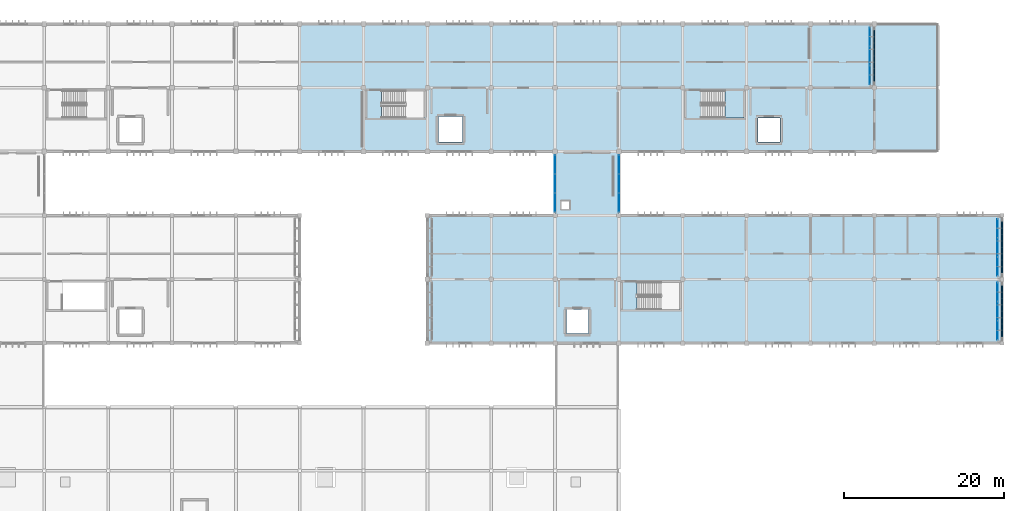
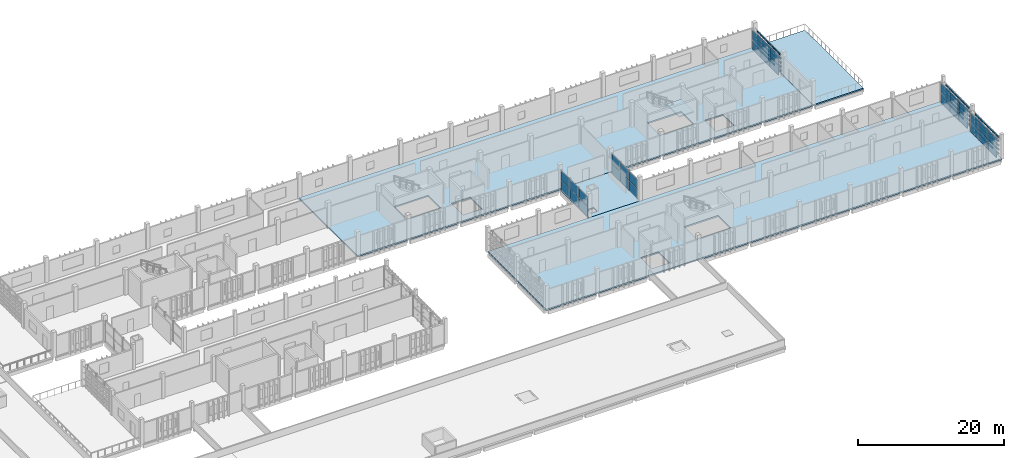
# One storey, part 29 of 48: 90 plates, 5 slabs, 6 elements without a shape of their own.
"""IFC4 building model written with IfcOpenShell, lengths in metres."""

from ifc_helpers import new_model, si_unit, direction, frame, origin, origin_2d, place, context, subcontext, project, spatial, polyline, rectangle, outline, extrude, material, layer, layer_set, type_object, element, aggregate, save


model = new_model("IFC4")

# Units and contexts
model_context = context("Model", 3, precision=1e-05, world=origin(), true_north=direction((0.0, 1.0)))
body_context = subcontext(model_context, "Body", "Model", "MODEL_VIEW")
ifc_project = project(units=[si_unit("LENGTHUNIT", "METRE"), si_unit("AREAUNIT", "SQUARE_METRE"), si_unit("VOLUMEUNIT", "CUBIC_METRE"), si_unit("PLANEANGLEUNIT", "RADIAN"), si_unit("MASSUNIT", "GRAM", prefix="KILO")], contexts=[model_context])

# Site, building, storey
site_placement = place(None, origin())
site = spatial("IfcSite", under=ifc_project, at=site_placement, CompositionType="ELEMENT")
building_placement = place(site_placement, origin())
building = spatial("IfcBuilding", under=site, at=building_placement, Name="Jelvoka-Kovrelna Polytechnic", CompositionType="ELEMENT")
storey_placement = place(building_placement, frame((0.0, 0.0, 22.199951171875)))
storey = spatial("IfcBuildingStorey", under=building, at=storey_placement, Name="L06", CompositionType="ELEMENT", Elevation=22.199951171875)

# Curtain wall, plates
ifc_material_1 = material(Name="Anodised aluminium 6063-T6", Category="aluminium")
ifc_layer_1 = layer(ifc_material_1, 0.159912109375)
ifc_layer_set_1 = layer_set([ifc_layer_1], Name="Anodised aluminium 6063-T6")
curtain_wall_type_1 = type_object("IfcCurtainWallType", Name="CW_Recessed_A", PredefinedType="NOTDEFINED", material=ifc_layer_set_1)
curtain_wall_1_placement = place(storey_placement, origin())
curtain_wall_1 = element("IfcCurtainWall", 1, at=curtain_wall_1_placement, inside=storey, type_object=curtain_wall_type_1, Name="L06 glazed curtain wall 076", PredefinedType="NOTDEFINED")
ifc_material_2 = material(Name="Solar-control double glazing", Category="glass")
ifc_layer_2 = layer(ifc_material_2, 0.028076171875)
ifc_layer_set_2 = layer_set([ifc_layer_2], Name="Solar-control double glazing")
plate_type_1 = type_object("IfcPlateType", Name="Panel_GP-01", PredefinedType="CURTAIN_PANEL", material=ifc_layer_set_2)
plate_1_placement = place(storey_placement, frame((199.43994140625, 38.385009765625, 0.052001953125), z_axis=(0.0, 0.0, 1.0), x_axis=(0.0, -1.0, 0.0)))
plate_1 = element("IfcPlate", 2, at=plate_1_placement, type_object=plate_type_1, Name="CW-01 panel 1.1", PredefinedType="CURTAIN_PANEL", context=body_context, shape_type="SweptSolid", body=[
    extrude(rectangle(XDim=2.326171875, YDim=0.028076171875, at=origin_2d()), origin(), (0.0, 0.0, 1.0), 1.60107421875),
])
plate_2_placement = place(storey_placement, frame((199.43994140625, 38.385009765625, 1.697021484375), z_axis=(0.0, 0.0, 1.0), x_axis=(0.0, -1.0, 0.0)))
plate_2 = element("IfcPlate", 3, at=plate_2_placement, type_object=plate_type_1, Name="CW-01 panel 1.2", PredefinedType="CURTAIN_PANEL", context=body_context, shape_type="SweptSolid", body=[
    extrude(rectangle(XDim=2.326171875, YDim=0.028076171875, at=origin_2d()), origin(), (0.0, 0.0, 1.0), 1.60107421875),
])
plate_3_placement = place(storey_placement, frame((199.43994140625, 36.0, 0.052001953125), z_axis=(0.0, 0.0, 1.0), x_axis=(0.0, -1.0, 0.0)))
plate_3 = element("IfcPlate", 4, at=plate_3_placement, type_object=plate_type_1, Name="CW-01 panel 2.1", PredefinedType="CURTAIN_PANEL", context=body_context, shape_type="SweptSolid", body=[
    extrude(rectangle(XDim=2.356201171875, YDim=0.028076171875, at=origin_2d()), origin(), (0.0, 0.0, 1.0), 1.60107421875),
])
plate_4_placement = place(storey_placement, frame((199.43994140625, 36.0, 1.697021484375), z_axis=(0.0, 0.0, 1.0), x_axis=(0.0, -1.0, 0.0)))
plate_4 = element("IfcPlate", 5, at=plate_4_placement, type_object=plate_type_1, Name="CW-01 panel 2.2", PredefinedType="CURTAIN_PANEL", context=body_context, shape_type="SweptSolid", body=[
    extrude(rectangle(XDim=2.356201171875, YDim=0.028076171875, at=origin_2d()), origin(), (0.0, 0.0, 1.0), 1.60107421875),
])
plate_5_placement = place(storey_placement, frame((199.43994140625, 33.614990234375, 0.052001953125), z_axis=(0.0, 0.0, 1.0), x_axis=(0.0, -1.0, 0.0)))
plate_5 = element("IfcPlate", 6, at=plate_5_placement, type_object=plate_type_1, Name="CW-01 panel 3.1", PredefinedType="CURTAIN_PANEL", context=body_context, shape_type="SweptSolid", body=[
    extrude(rectangle(XDim=2.326171875, YDim=0.028076171875, at=origin_2d()), origin(), (0.0, 0.0, 1.0), 1.60107421875),
])
plate_6_placement = place(storey_placement, frame((199.43994140625, 33.614990234375, 1.697021484375), z_axis=(0.0, 0.0, 1.0), x_axis=(0.0, -1.0, 0.0)))
plate_6 = element("IfcPlate", 7, at=plate_6_placement, type_object=plate_type_1, Name="CW-01 panel 3.2", PredefinedType="CURTAIN_PANEL", context=body_context, shape_type="SweptSolid", body=[
    extrude(rectangle(XDim=2.326171875, YDim=0.028076171875, at=origin_2d()), origin(), (0.0, 0.0, 1.0), 1.60107421875),
])
aggregate(curtain_wall_1, [plate_1, plate_2, plate_3, plate_4, plate_5, plate_6])

curtain_wall_2_placement = place(storey_placement, origin())
curtain_wall_2 = element("IfcCurtainWall", 8, at=curtain_wall_2_placement, inside=storey, type_object=curtain_wall_type_1, Name="L06 glazed curtain wall 077", PredefinedType="NOTDEFINED")
plate_7_placement = place(storey_placement, frame((199.43994140625, 46.385009765625, 0.052001953125), z_axis=(0.0, 0.0, 1.0), x_axis=(0.0, -1.0, 0.0)))
plate_7 = element("IfcPlate", 9, at=plate_7_placement, type_object=plate_type_1, Name="CW-01 panel 1.1", PredefinedType="CURTAIN_PANEL", context=body_context, shape_type="SweptSolid", body=[
    extrude(rectangle(XDim=2.326171875, YDim=0.028076171875, at=origin_2d()), origin(), (0.0, 0.0, 1.0), 1.60107421875),
])
plate_8_placement = place(storey_placement, frame((199.43994140625, 46.385009765625, 1.697021484375), z_axis=(0.0, 0.0, 1.0), x_axis=(0.0, -1.0, 0.0)))
plate_8 = element("IfcPlate", 10, at=plate_8_placement, type_object=plate_type_1, Name="CW-01 panel 1.2", PredefinedType="CURTAIN_PANEL", context=body_context, shape_type="SweptSolid", body=[
    extrude(rectangle(XDim=2.326171875, YDim=0.028076171875, at=origin_2d()), origin(), (0.0, 0.0, 1.0), 1.60107421875),
])
plate_9_placement = place(storey_placement, frame((199.43994140625, 44.0, 0.052001953125), z_axis=(0.0, 0.0, 1.0), x_axis=(0.0, -1.0, 0.0)))
plate_9 = element("IfcPlate", 11, at=plate_9_placement, type_object=plate_type_1, Name="CW-01 panel 2.1", PredefinedType="CURTAIN_PANEL", context=body_context, shape_type="SweptSolid", body=[
    extrude(rectangle(XDim=2.356201171875, YDim=0.028076171875, at=origin_2d()), origin(), (0.0, 0.0, 1.0), 1.60107421875),
])
plate_10_placement = place(storey_placement, frame((199.43994140625, 44.0, 1.697021484375), z_axis=(0.0, 0.0, 1.0), x_axis=(0.0, -1.0, 0.0)))
plate_10 = element("IfcPlate", 12, at=plate_10_placement, type_object=plate_type_1, Name="CW-01 panel 2.2", PredefinedType="CURTAIN_PANEL", context=body_context, shape_type="SweptSolid", body=[
    extrude(rectangle(XDim=2.356201171875, YDim=0.028076171875, at=origin_2d()), origin(), (0.0, 0.0, 1.0), 1.60107421875),
])
plate_11_placement = place(storey_placement, frame((199.43994140625, 41.614990234375, 0.052001953125), z_axis=(0.0, 0.0, 1.0), x_axis=(0.0, -1.0, 0.0)))
plate_11 = element("IfcPlate", 13, at=plate_11_placement, type_object=plate_type_1, Name="CW-01 panel 3.1", PredefinedType="CURTAIN_PANEL", context=body_context, shape_type="SweptSolid", body=[
    extrude(rectangle(XDim=2.326171875, YDim=0.028076171875, at=origin_2d()), origin(), (0.0, 0.0, 1.0), 1.60107421875),
])
plate_12_placement = place(storey_placement, frame((199.43994140625, 41.614990234375, 1.697021484375), z_axis=(0.0, 0.0, 1.0), x_axis=(0.0, -1.0, 0.0)))
plate_12 = element("IfcPlate", 14, at=plate_12_placement, type_object=plate_type_1, Name="CW-01 panel 3.2", PredefinedType="CURTAIN_PANEL", context=body_context, shape_type="SweptSolid", body=[
    extrude(rectangle(XDim=2.326171875, YDim=0.028076171875, at=origin_2d()), origin(), (0.0, 0.0, 1.0), 1.60107421875),
])
aggregate(curtain_wall_2, [plate_7, plate_8, plate_9, plate_10, plate_11, plate_12])

ifc_material_3 = material(Name="Anodised aluminium 6063-T6", Category="aluminium")
ifc_layer_3 = layer(ifc_material_3, 0.179931640625)
ifc_layer_set_3 = layer_set([ifc_layer_3], Name="Anodised aluminium 6063-T6")
curtain_wall_type_2 = type_object("IfcCurtainWallType", Name="CW_Recessed_B", PredefinedType="NOTDEFINED", material=ifc_layer_set_3)
curtain_wall_3_placement = place(storey_placement, origin())
curtain_wall_3 = element("IfcCurtainWall", 15, at=curtain_wall_3_placement, inside=storey, type_object=curtain_wall_type_2, Name="L06 glazed curtain wall 092", PredefinedType="NOTDEFINED")
ifc_material_4 = material(Name="Solar-control double glazing", Category="glass")
ifc_layer_4 = layer(ifc_material_4, 0.031982421875)
ifc_layer_set_4 = layer_set([ifc_layer_4], Name="Solar-control double glazing")
plate_type_2 = type_object("IfcPlateType", Name="Panel_GP-02", PredefinedType="CURTAIN_PANEL", material=ifc_layer_set_4)
plate_13_placement = place(storey_placement, frame((183.43994140625, 70.3837890625, 0.056884765625), z_axis=(0.0, 0.0, 1.0), x_axis=(0.0, -1.0, 0.0)))
plate_13 = element("IfcPlate", 16, at=plate_13_placement, type_object=plate_type_2, Name="CW-02 panel 1.1", PredefinedType="CURTAIN_PANEL", context=body_context, shape_type="SweptSolid", body=[
    extrude(rectangle(XDim=2.318603515625, YDim=0.031982421875, at=origin_2d()), origin(), (0.0, 0.0, 1.0), 1.593505859375),
])
plate_14_placement = place(storey_placement, frame((183.43994140625, 70.3837890625, 1.699462890625), z_axis=(0.0, 0.0, 1.0), x_axis=(0.0, -1.0, 0.0)))
plate_14 = element("IfcPlate", 17, at=plate_14_placement, type_object=plate_type_2, Name="CW-02 panel 1.2", PredefinedType="CURTAIN_PANEL", context=body_context, shape_type="SweptSolid", body=[
    extrude(rectangle(XDim=2.318603515625, YDim=0.031982421875, at=origin_2d()), origin(), (0.0, 0.0, 1.0), 1.593505859375),
])
plate_15_placement = place(storey_placement, frame((183.43994140625, 68.0, 0.056884765625), z_axis=(0.0, 0.0, 1.0), x_axis=(0.0, -1.0, 0.0)))
plate_15 = element("IfcPlate", 18, at=plate_15_placement, type_object=plate_type_2, Name="CW-02 panel 2.1", PredefinedType="CURTAIN_PANEL", context=body_context, shape_type="SweptSolid", body=[
    extrude(rectangle(XDim=2.35107421875, YDim=0.031982421875, at=origin_2d()), origin(), (0.0, 0.0, 1.0), 1.593505859375),
])
plate_16_placement = place(storey_placement, frame((183.43994140625, 68.0, 1.699462890625), z_axis=(0.0, 0.0, 1.0), x_axis=(0.0, -1.0, 0.0)))
plate_16 = element("IfcPlate", 19, at=plate_16_placement, type_object=plate_type_2, Name="CW-02 panel 2.2", PredefinedType="CURTAIN_PANEL", context=body_context, shape_type="SweptSolid", body=[
    extrude(rectangle(XDim=2.35107421875, YDim=0.031982421875, at=origin_2d()), origin(), (0.0, 0.0, 1.0), 1.593505859375),
])
plate_17_placement = place(storey_placement, frame((183.43994140625, 65.6162109375, 0.056884765625), z_axis=(0.0, 0.0, 1.0), x_axis=(0.0, -1.0, 0.0)))
plate_17 = element("IfcPlate", 20, at=plate_17_placement, type_object=plate_type_2, Name="CW-02 panel 3.1", PredefinedType="CURTAIN_PANEL", context=body_context, shape_type="SweptSolid", body=[
    extrude(rectangle(XDim=2.318603515625, YDim=0.031982421875, at=origin_2d()), origin(), (0.0, 0.0, 1.0), 1.593505859375),
])
plate_18_placement = place(storey_placement, frame((183.43994140625, 65.6162109375, 1.699462890625), z_axis=(0.0, 0.0, 1.0), x_axis=(0.0, -1.0, 0.0)))
plate_18 = element("IfcPlate", 21, at=plate_18_placement, type_object=plate_type_2, Name="CW-02 panel 3.2", PredefinedType="CURTAIN_PANEL", context=body_context, shape_type="SweptSolid", body=[
    extrude(rectangle(XDim=2.318603515625, YDim=0.031982421875, at=origin_2d()), origin(), (0.0, 0.0, 1.0), 1.593505859375),
])
aggregate(curtain_wall_3, [plate_13, plate_14, plate_15, plate_16, plate_17, plate_18])

ifc_material_5 = material(Name="Anodised aluminium 6063-T6", Category="aluminium")
ifc_layer_5 = layer(ifc_material_5, 0.159912109375)
ifc_layer_set_5 = layer_set([ifc_layer_5], Name="Anodised aluminium 6063-T6")
curtain_wall_type_3 = type_object("IfcCurtainWallType", Name="CW_LinkBridge", PredefinedType="NOTDEFINED", material=ifc_layer_set_5)
curtain_wall_4_placement = place(storey_placement, origin())
curtain_wall_4 = element("IfcCurtainWall", 22, at=curtain_wall_4_placement, inside=storey, type_object=curtain_wall_type_3, Name="L06 glazed curtain wall 157", PredefinedType="NOTDEFINED")
ifc_material_6 = material(Name="Solar-control double glazing", Category="glass")
ifc_layer_6 = layer(ifc_material_6, 0.02392578125)
ifc_layer_set_6 = layer_set([ifc_layer_6], Name="Solar-control double glazing")
plate_type_3 = type_object("IfcPlateType", Name="Panel_GP-04", PredefinedType="CURTAIN_PANEL", material=ifc_layer_set_6)
plate_19_placement = place(storey_placement, frame((144.0, 49.614990234375, 0.052001953125), z_axis=(0.0, 0.0, 1.0), x_axis=(0.0, 1.0, 0.0)))
plate_19 = element("IfcPlate", 23, at=plate_19_placement, type_object=plate_type_3, Name="CW-04 panel 1.1", PredefinedType="CURTAIN_PANEL", context=body_context, shape_type="SweptSolid", body=[
    extrude(rectangle(XDim=2.326171875, YDim=0.02392578125, at=origin_2d()), origin(), (0.0, 0.0, 1.0), 1.593505859375),
])
plate_20_placement = place(storey_placement, frame((144.0, 49.614990234375, 1.689697265625), z_axis=(0.0, 0.0, 1.0), x_axis=(0.0, 1.0, 0.0)))
plate_20 = element("IfcPlate", 24, at=plate_20_placement, type_object=plate_type_3, Name="CW-04 panel 1.2", PredefinedType="CURTAIN_PANEL", context=body_context, shape_type="SweptSolid", body=[
    extrude(rectangle(XDim=2.326171875, YDim=0.02392578125, at=origin_2d()), origin(), (0.0, 0.0, 1.0), 1.593505859375),
])
plate_21_placement = place(storey_placement, frame((144.0, 52.0, 0.052001953125), z_axis=(0.0, 0.0, 1.0), x_axis=(0.0, 1.0, 0.0)))
plate_21 = element("IfcPlate", 25, at=plate_21_placement, type_object=plate_type_3, Name="CW-04 panel 2.1", PredefinedType="CURTAIN_PANEL", context=body_context, shape_type="SweptSolid", body=[
    extrude(rectangle(XDim=2.356201171875, YDim=0.02392578125, at=origin_2d()), origin(), (0.0, 0.0, 1.0), 1.593505859375),
])
plate_22_placement = place(storey_placement, frame((144.0, 52.0, 1.689697265625), z_axis=(0.0, 0.0, 1.0), x_axis=(0.0, 1.0, 0.0)))
plate_22 = element("IfcPlate", 26, at=plate_22_placement, type_object=plate_type_3, Name="CW-04 panel 2.2", PredefinedType="CURTAIN_PANEL", context=body_context, shape_type="SweptSolid", body=[
    extrude(rectangle(XDim=2.356201171875, YDim=0.02392578125, at=origin_2d()), origin(), (0.0, 0.0, 1.0), 1.593505859375),
])
plate_23_placement = place(storey_placement, frame((144.0, 54.385009765625, 0.052001953125), z_axis=(0.0, 0.0, 1.0), x_axis=(0.0, 1.0, 0.0)))
plate_23 = element("IfcPlate", 27, at=plate_23_placement, type_object=plate_type_3, Name="CW-04 panel 3.1", PredefinedType="CURTAIN_PANEL", context=body_context, shape_type="SweptSolid", body=[
    extrude(rectangle(XDim=2.326171875, YDim=0.02392578125, at=origin_2d()), origin(), (0.0, 0.0, 1.0), 1.593505859375),
])
plate_24_placement = place(storey_placement, frame((144.0, 54.385009765625, 1.689697265625), z_axis=(0.0, 0.0, 1.0), x_axis=(0.0, 1.0, 0.0)))
plate_24 = element("IfcPlate", 28, at=plate_24_placement, type_object=plate_type_3, Name="CW-04 panel 3.2", PredefinedType="CURTAIN_PANEL", context=body_context, shape_type="SweptSolid", body=[
    extrude(rectangle(XDim=2.326171875, YDim=0.02392578125, at=origin_2d()), origin(), (0.0, 0.0, 1.0), 1.593505859375),
])
aggregate(curtain_wall_4, [plate_19, plate_20, plate_21, plate_22, plate_23, plate_24])

curtain_wall_5_placement = place(storey_placement, origin())
curtain_wall_5 = element("IfcCurtainWall", 29, at=curtain_wall_5_placement, inside=storey, type_object=curtain_wall_type_3, Name="L06 glazed curtain wall 158", PredefinedType="NOTDEFINED")
plate_25_placement = place(storey_placement, frame((152.0, 54.385009765625, 0.052001953125), z_axis=(0.0, 0.0, 1.0), x_axis=(0.0, -1.0, 0.0)))
plate_25 = element("IfcPlate", 30, at=plate_25_placement, type_object=plate_type_3, Name="CW-04 panel 1.1", PredefinedType="CURTAIN_PANEL", context=body_context, shape_type="SweptSolid", body=[
    extrude(rectangle(XDim=2.326171875, YDim=0.02392578125, at=origin_2d()), origin(), (0.0, 0.0, 1.0), 1.593505859375),
])
plate_26_placement = place(storey_placement, frame((152.0, 54.385009765625, 1.689697265625), z_axis=(0.0, 0.0, 1.0), x_axis=(0.0, -1.0, 0.0)))
plate_26 = element("IfcPlate", 31, at=plate_26_placement, type_object=plate_type_3, Name="CW-04 panel 1.2", PredefinedType="CURTAIN_PANEL", context=body_context, shape_type="SweptSolid", body=[
    extrude(rectangle(XDim=2.326171875, YDim=0.02392578125, at=origin_2d()), origin(), (0.0, 0.0, 1.0), 1.593505859375),
])
plate_27_placement = place(storey_placement, frame((152.0, 52.0, 0.052001953125), z_axis=(0.0, 0.0, 1.0), x_axis=(0.0, -1.0, 0.0)))
plate_27 = element("IfcPlate", 32, at=plate_27_placement, type_object=plate_type_3, Name="CW-04 panel 2.1", PredefinedType="CURTAIN_PANEL", context=body_context, shape_type="SweptSolid", body=[
    extrude(rectangle(XDim=2.356201171875, YDim=0.02392578125, at=origin_2d()), origin(), (0.0, 0.0, 1.0), 1.593505859375),
])
plate_28_placement = place(storey_placement, frame((152.0, 52.0, 1.689697265625), z_axis=(0.0, 0.0, 1.0), x_axis=(0.0, -1.0, 0.0)))
plate_28 = element("IfcPlate", 33, at=plate_28_placement, type_object=plate_type_3, Name="CW-04 panel 2.2", PredefinedType="CURTAIN_PANEL", context=body_context, shape_type="SweptSolid", body=[
    extrude(rectangle(XDim=2.356201171875, YDim=0.02392578125, at=origin_2d()), origin(), (0.0, 0.0, 1.0), 1.593505859375),
])
plate_29_placement = place(storey_placement, frame((152.0, 49.614990234375, 0.052001953125), z_axis=(0.0, 0.0, 1.0), x_axis=(0.0, -1.0, 0.0)))
plate_29 = element("IfcPlate", 34, at=plate_29_placement, type_object=plate_type_3, Name="CW-04 panel 3.1", PredefinedType="CURTAIN_PANEL", context=body_context, shape_type="SweptSolid", body=[
    extrude(rectangle(XDim=2.326171875, YDim=0.02392578125, at=origin_2d()), origin(), (0.0, 0.0, 1.0), 1.593505859375),
])
plate_30_placement = place(storey_placement, frame((152.0, 49.614990234375, 1.689697265625), z_axis=(0.0, 0.0, 1.0), x_axis=(0.0, -1.0, 0.0)))
plate_30 = element("IfcPlate", 35, at=plate_30_placement, type_object=plate_type_3, Name="CW-04 panel 3.2", PredefinedType="CURTAIN_PANEL", context=body_context, shape_type="SweptSolid", body=[
    extrude(rectangle(XDim=2.326171875, YDim=0.02392578125, at=origin_2d()), origin(), (0.0, 0.0, 1.0), 1.593505859375),
])
aggregate(curtain_wall_5, [plate_25, plate_26, plate_27, plate_28, plate_29, plate_30])

# Plates
ifc_material_7 = material(Name="Perforated fired terracotta block", Category="masonry")
ifc_layer_7 = layer(ifc_material_7, 0.179931640625)
ifc_layer_set_7 = layer_set([ifc_layer_7], Name="Perforated fired terracotta block")
plate_type_4 = type_object("IfcPlateType", Name="Screen_Terracotta_TP02", PredefinedType="USERDEFINED", material=ifc_layer_set_7)
for number, where, z_axis, x_axis, name in (
    (36, (199.97998046875, 33.60009765625, 0.2001953125), (0.0, 0.0, 1.0), (0.0, 1.0, 0.0), "L06 perforated terracotta lattice band 0861"),
    (37, (199.97998046875, 33.60009765625, 0.892578125), (0.0, 0.0, 1.0), (0.0, 1.0, 0.0), "L06 perforated terracotta lattice band 0862"),
    (38, (199.97998046875, 33.60009765625, 1.5849609375), (0.0, 0.0, 1.0), (0.0, 1.0, 0.0), "L06 perforated terracotta lattice band 0863"),
    (39, (199.97998046875, 33.60009765625, 2.27734375), (0.0, 0.0, 1.0), (0.0, 1.0, 0.0), "L06 perforated terracotta lattice band 0864"),
    (40, (199.97998046875, 33.60009765625, 2.97021484375), (0.0, 0.0, 1.0), (0.0, 1.0, 0.0), "L06 perforated terracotta lattice band 0865"),
    (41, (199.97998046875, 35.199951171875, 0.2001953125), (0.0, 0.0, 1.0), (0.0, 1.0, 0.0), "L06 perforated terracotta lattice band 0866"),
    (42, (199.97998046875, 35.199951171875, 0.892578125), (0.0, 0.0, 1.0), (0.0, 1.0, 0.0), "L06 perforated terracotta lattice band 0867"),
    (43, (199.97998046875, 35.199951171875, 1.5849609375), (0.0, 0.0, 1.0), (0.0, 1.0, 0.0), "L06 perforated terracotta lattice band 0868"),
    (44, (199.97998046875, 35.199951171875, 2.27734375), (0.0, 0.0, 1.0), (0.0, 1.0, 0.0), "L06 perforated terracotta lattice band 0869"),
    (45, (199.97998046875, 35.199951171875, 2.97021484375), (0.0, 0.0, 1.0), (0.0, 1.0, 0.0), "L06 perforated terracotta lattice band 0870"),
    (46, (199.97998046875, 36.800048828125, 0.2001953125), (0.0, 0.0, 1.0), (0.0, 1.0, 0.0), "L06 perforated terracotta lattice band 0871"),
    (47, (199.97998046875, 36.800048828125, 0.892578125), (0.0, 0.0, 1.0), (0.0, 1.0, 0.0), "L06 perforated terracotta lattice band 0872"),
    (48, (199.97998046875, 36.800048828125, 1.5849609375), (0.0, 0.0, 1.0), (0.0, 1.0, 0.0), "L06 perforated terracotta lattice band 0873"),
    (49, (199.97998046875, 36.800048828125, 2.27734375), (0.0, 0.0, 1.0), (0.0, 1.0, 0.0), "L06 perforated terracotta lattice band 0874"),
    (50, (199.97998046875, 36.800048828125, 2.97021484375), (0.0, 0.0, 1.0), (0.0, 1.0, 0.0), "L06 perforated terracotta lattice band 0875"),
    (51, (199.97998046875, 38.39990234375, 0.2001953125), (0.0, 0.0, 1.0), (0.0, 1.0, 0.0), "L06 perforated terracotta lattice band 0876"),
    (52, (199.97998046875, 38.39990234375, 0.892578125), (0.0, 0.0, 1.0), (0.0, 1.0, 0.0), "L06 perforated terracotta lattice band 0877"),
    (53, (199.97998046875, 38.39990234375, 1.5849609375), (0.0, 0.0, 1.0), (0.0, 1.0, 0.0), "L06 perforated terracotta lattice band 0878"),
    (54, (199.97998046875, 38.39990234375, 2.27734375), (0.0, 0.0, 1.0), (0.0, 1.0, 0.0), "L06 perforated terracotta lattice band 0879"),
    (55, (199.97998046875, 38.39990234375, 2.97021484375), (0.0, 0.0, 1.0), (0.0, 1.0, 0.0), "L06 perforated terracotta lattice band 0880"),
    (56, (199.97998046875, 41.60009765625, 0.2001953125), (0.0, 0.0, 1.0), (0.0, 1.0, 0.0), "L06 perforated terracotta lattice band 0881"),
    (57, (199.97998046875, 41.60009765625, 0.892578125), (0.0, 0.0, 1.0), (0.0, 1.0, 0.0), "L06 perforated terracotta lattice band 0882"),
    (58, (199.97998046875, 41.60009765625, 1.5849609375), (0.0, 0.0, 1.0), (0.0, 1.0, 0.0), "L06 perforated terracotta lattice band 0883"),
    (59, (199.97998046875, 41.60009765625, 2.27734375), (0.0, 0.0, 1.0), (0.0, 1.0, 0.0), "L06 perforated terracotta lattice band 0884"),
    (60, (199.97998046875, 41.60009765625, 2.97021484375), (0.0, 0.0, 1.0), (0.0, 1.0, 0.0), "L06 perforated terracotta lattice band 0885"),
    (61, (199.97998046875, 43.199951171875, 0.2001953125), (0.0, 0.0, 1.0), (0.0, 1.0, 0.0), "L06 perforated terracotta lattice band 0886"),
    (62, (199.97998046875, 43.199951171875, 0.892578125), (0.0, 0.0, 1.0), (0.0, 1.0, 0.0), "L06 perforated terracotta lattice band 0887"),
    (63, (199.97998046875, 43.199951171875, 1.5849609375), (0.0, 0.0, 1.0), (0.0, 1.0, 0.0), "L06 perforated terracotta lattice band 0888"),
    (64, (199.97998046875, 43.199951171875, 2.27734375), (0.0, 0.0, 1.0), (0.0, 1.0, 0.0), "L06 perforated terracotta lattice band 0889"),
    (65, (199.97998046875, 43.199951171875, 2.97021484375), (0.0, 0.0, 1.0), (0.0, 1.0, 0.0), "L06 perforated terracotta lattice band 0890"),
    (66, (199.97998046875, 44.800048828125, 0.2001953125), (0.0, 0.0, 1.0), (0.0, 1.0, 0.0), "L06 perforated terracotta lattice band 0891"),
    (67, (199.97998046875, 44.800048828125, 0.892578125), (0.0, 0.0, 1.0), (0.0, 1.0, 0.0), "L06 perforated terracotta lattice band 0892"),
    (68, (199.97998046875, 44.800048828125, 1.5849609375), (0.0, 0.0, 1.0), (0.0, 1.0, 0.0), "L06 perforated terracotta lattice band 0893"),
    (69, (199.97998046875, 44.800048828125, 2.27734375), (0.0, 0.0, 1.0), (0.0, 1.0, 0.0), "L06 perforated terracotta lattice band 0894"),
    (70, (199.97998046875, 44.800048828125, 2.97021484375), (0.0, 0.0, 1.0), (0.0, 1.0, 0.0), "L06 perforated terracotta lattice band 0895"),
    (71, (199.97998046875, 46.39990234375, 0.2001953125), (0.0, 0.0, 1.0), (0.0, 1.0, 0.0), "L06 perforated terracotta lattice band 0896"),
    (72, (199.97998046875, 46.39990234375, 0.892578125), (0.0, 0.0, 1.0), (0.0, 1.0, 0.0), "L06 perforated terracotta lattice band 0897"),
    (73, (199.97998046875, 46.39990234375, 1.5849609375), (0.0, 0.0, 1.0), (0.0, 1.0, 0.0), "L06 perforated terracotta lattice band 0898"),
    (74, (199.97998046875, 46.39990234375, 2.27734375), (0.0, 0.0, 1.0), (0.0, 1.0, 0.0), "L06 perforated terracotta lattice band 0899"),
    (75, (199.97998046875, 46.39990234375, 2.97021484375), (0.0, 0.0, 1.0), (0.0, 1.0, 0.0), "L06 perforated terracotta lattice band 0900"),
):
    element("IfcPlate", number, at=place(storey_placement, frame(where, z_axis=z_axis, x_axis=x_axis)), inside=storey, type_object=plate_type_4, Name=name, ObjectType="SCREEN PANEL", PredefinedType="USERDEFINED", context=body_context, shape_type="SweptSolid", body=[
        extrude(rectangle(XDim=1.60009765625, YDim=0.179931640625, at=origin_2d()), origin(), (0.0, 0.0, 1.0), 0.239990234375),
    ])
ifc_material_8 = material(Name="Perforated fired terracotta block", Category="masonry")
ifc_layer_8 = layer(ifc_material_8, 0.14990234375)
ifc_layer_set_8 = layer_set([ifc_layer_8], Name="Perforated fired terracotta block")
plate_type_5 = type_object("IfcPlateType", Name="Screen_Terracotta_TP03", PredefinedType="USERDEFINED", material=ifc_layer_set_8)
for number, where, z_axis, x_axis, name in (
    (76, (183.97998046875, 65.60009765625, 0.25), (0.0, 0.0, 1.0), (0.0, 1.0, 0.0), "L06 perforated terracotta lattice band 1181"),
    (77, (183.97998046875, 65.60009765625, 0.927734375), (0.0, 0.0, 1.0), (0.0, 1.0, 0.0), "L06 perforated terracotta lattice band 1182"),
    (78, (183.97998046875, 65.60009765625, 1.60498046875), (0.0, 0.0, 1.0), (0.0, 1.0, 0.0), "L06 perforated terracotta lattice band 1183"),
    (79, (183.97998046875, 65.60009765625, 2.28271484375), (0.0, 0.0, 1.0), (0.0, 1.0, 0.0), "L06 perforated terracotta lattice band 1184"),
    (80, (183.97998046875, 65.60009765625, 2.9599609375), (0.0, 0.0, 1.0), (0.0, 1.0, 0.0), "L06 perforated terracotta lattice band 1185"),
    (81, (183.97998046875, 67.199951171875, 0.25), (0.0, 0.0, 1.0), (0.0, 1.0, 0.0), "L06 perforated terracotta lattice band 1186"),
    (82, (183.97998046875, 67.199951171875, 0.927734375), (0.0, 0.0, 1.0), (0.0, 1.0, 0.0), "L06 perforated terracotta lattice band 1187"),
    (83, (183.97998046875, 67.199951171875, 1.60498046875), (0.0, 0.0, 1.0), (0.0, 1.0, 0.0), "L06 perforated terracotta lattice band 1188"),
    (84, (183.97998046875, 67.199951171875, 2.28271484375), (0.0, 0.0, 1.0), (0.0, 1.0, 0.0), "L06 perforated terracotta lattice band 1189"),
    (85, (183.97998046875, 67.199951171875, 2.9599609375), (0.0, 0.0, 1.0), (0.0, 1.0, 0.0), "L06 perforated terracotta lattice band 1190"),
    (86, (183.97998046875, 68.800048828125, 0.25), (0.0, 0.0, 1.0), (0.0, 1.0, 0.0), "L06 perforated terracotta lattice band 1191"),
    (87, (183.97998046875, 68.800048828125, 0.927734375), (0.0, 0.0, 1.0), (0.0, 1.0, 0.0), "L06 perforated terracotta lattice band 1192"),
    (88, (183.97998046875, 68.800048828125, 1.60498046875), (0.0, 0.0, 1.0), (0.0, 1.0, 0.0), "L06 perforated terracotta lattice band 1193"),
    (89, (183.97998046875, 68.800048828125, 2.28271484375), (0.0, 0.0, 1.0), (0.0, 1.0, 0.0), "L06 perforated terracotta lattice band 1194"),
    (90, (183.97998046875, 68.800048828125, 2.9599609375), (0.0, 0.0, 1.0), (0.0, 1.0, 0.0), "L06 perforated terracotta lattice band 1195"),
    (91, (183.97998046875, 70.39990234375, 0.25), (0.0, 0.0, 1.0), (0.0, 1.0, 0.0), "L06 perforated terracotta lattice band 1196"),
    (92, (183.97998046875, 70.39990234375, 0.927734375), (0.0, 0.0, 1.0), (0.0, 1.0, 0.0), "L06 perforated terracotta lattice band 1197"),
    (93, (183.97998046875, 70.39990234375, 1.60498046875), (0.0, 0.0, 1.0), (0.0, 1.0, 0.0), "L06 perforated terracotta lattice band 1198"),
    (94, (183.97998046875, 70.39990234375, 2.28271484375), (0.0, 0.0, 1.0), (0.0, 1.0, 0.0), "L06 perforated terracotta lattice band 1199"),
    (95, (183.97998046875, 70.39990234375, 2.9599609375), (0.0, 0.0, 1.0), (0.0, 1.0, 0.0), "L06 perforated terracotta lattice band 1200"),
):
    element("IfcPlate", number, at=place(storey_placement, frame(where, z_axis=z_axis, x_axis=x_axis)), inside=storey, type_object=plate_type_5, Name=name, ObjectType="SCREEN PANEL", PredefinedType="USERDEFINED", context=body_context, shape_type="SweptSolid", body=[
        extrude(rectangle(XDim=1.56005859375, YDim=0.14990234375, at=origin_2d()), origin(), (0.0, 0.0, 1.0), 0.260009765625),
    ])

# Slabs
ifc_material_9 = material(Name="Concrete C35/45", Category="concrete")
ifc_layer_9 = layer(ifc_material_9, 0.239990234375)
ifc_layer_set_9 = layer_set([ifc_layer_9], Name="Concrete C35/45")
slab_type_1 = type_object("IfcSlabType", Name="Slab_Floor_240", PredefinedType="FLOOR", material=ifc_layer_set_9)
slab_1_placement = place(storey_placement, frame((0.0, 0.0, -0.239990234375)))
element("IfcSlab", 96, at=slab_1_placement, inside=storey, type_object=slab_type_1, Name="L06 B2E structural slab", PredefinedType="FLOOR", context=body_context, shape_type="SweptSolid", body=[
    extrude(outline(polyline([(128.0, 32.0), (200.0, 32.0), (200.0, 48.0), (128.0, 48.0), (128.0, 32.0)]), holes=[polyline([(145.39990234375, 33.199951171875), (148.199951171875, 33.199951171875), (148.199951171875, 36.199951171875), (145.39990234375, 36.199951171875), (145.39990234375, 33.199951171875)]), polyline([(154.264892578125, 36.199951171875), (159.60009765625, 36.199951171875), (159.60009765625, 39.639892578125), (154.264892578125, 39.639892578125), (154.264892578125, 36.199951171875)])]), origin(), (0.0, 0.0, 1.0), 0.239990234375),
])
slab_2_placement = place(storey_placement, frame((0.0, 0.0, -0.239990234375)))
element("IfcSlab", 97, at=slab_2_placement, inside=storey, type_object=slab_type_1, Name="L06 B3E structural slab", PredefinedType="FLOOR", context=body_context, shape_type="SweptSolid", body=[
    extrude(outline(polyline([(112.0, 56.0), (184.0, 56.0), (184.0, 72.0), (112.0, 72.0), (112.0, 56.0)]), holes=[polyline([(169.39990234375, 57.199951171875), (172.199951171875, 57.199951171875), (172.199951171875, 60.199951171875), (169.39990234375, 60.199951171875), (169.39990234375, 57.199951171875)]), polyline([(129.39990234375, 57.199951171875), (132.39990234375, 57.199951171875), (132.39990234375, 60.39990234375), (129.39990234375, 60.39990234375), (129.39990234375, 57.199951171875)]), polyline([(162.264892578125, 60.199951171875), (167.60009765625, 60.199951171875), (167.60009765625, 63.639892578125), (162.264892578125, 63.639892578125), (162.264892578125, 60.199951171875)]), polyline([(122.264892578125, 60.199951171875), (127.60009765625, 60.199951171875), (127.60009765625, 63.639892578125), (122.264892578125, 63.639892578125), (122.264892578125, 60.199951171875)])]), origin(), (0.0, 0.0, 1.0), 0.239990234375),
])
slab_3_placement = place(storey_placement, frame((0.0, 0.0, -0.239990234375)))
element("IfcSlab", 98, at=slab_3_placement, inside=storey, type_object=slab_type_1, Name="L06 LNKNE structural slab", PredefinedType="FLOOR", context=body_context, shape_type="SweptSolid", body=[
    extrude(outline(polyline([(144.0, 48.0), (152.0, 48.0), (152.0, 56.0), (144.0, 56.0), (144.0, 48.0)]), holes=[polyline([(144.800048828125, 48.800048828125), (145.800048828125, 48.800048828125), (145.800048828125, 49.800048828125), (144.800048828125, 49.800048828125), (144.800048828125, 48.800048828125)])]), origin(), (0.0, 0.0, 1.0), 0.239990234375),
])

# Stair, slab
ifc_material_10 = material(Name="Concrete C35/45", Category="concrete")
stair_type = type_object("IfcStairType", Name="Stair_Dogleg_1620", PredefinedType="TWO_STRAIGHT_RUN_STAIR", material=ifc_material_10)
stair_placement = place(storey_placement, origin())
stair = element("IfcStair", 99, at=stair_placement, inside=storey, type_object=stair_type, Name="L06 ST10", PredefinedType="TWO_STRAIGHT_RUN_STAIR")
ifc_material_11 = material(Name="Concrete C35/45", Category="concrete")
ifc_layer_10 = layer(ifc_material_11, 0.199951171875)
ifc_layer_set_10 = layer_set([ifc_layer_10], Name="Concrete C35/45")
slab_type_2 = type_object("IfcSlabType", Name="Slab_Stair_Landing_200", PredefinedType="LANDING", material=ifc_layer_set_10)
slab_4_placement = place(storey_placement, frame((0.0, 0.0, 1.900146484375)))
slab_4 = element("IfcSlab", 100, at=slab_4_placement, type_object=slab_type_2, Name="ST10 landing 1", PredefinedType="LANDING", context=body_context, shape_type="SweptSolid", body=[
    extrude(outline(polyline([(165.27490234375, 60.199951171875), (167.60009765625, 60.199951171875), (167.60009765625, 63.639892578125), (165.27490234375, 63.639892578125), (165.27490234375, 60.199951171875)])), origin(), (0.0, 0.0, 1.0), 0.199951171875),
])
aggregate(stair, [slab_4])

# Slab
ifc_material_12 = material(Name="Concrete C35/45", Category="concrete")
ifc_layer_11 = layer(ifc_material_12, 0.219970703125)
ifc_layer_set_11 = layer_set([ifc_layer_11], Name="Concrete C35/45")
slab_type_3 = type_object("IfcSlabType", Name="Slab_Terrace_220", PredefinedType="FLOOR", material=ifc_layer_set_11)
slab_5_placement = place(storey_placement, frame((0.0, 0.0, -0.219970703125)))
element("IfcSlab", 101, at=slab_5_placement, inside=storey, type_object=slab_type_3, Name="L06 outdoor setback terrace TER-L06-B3E", PredefinedType="FLOOR", context=body_context, shape_type="SweptSolid", body=[
    extrude(outline(polyline([(184.0, 56.0), (192.0, 56.0), (192.0, 72.0), (184.0, 72.0), (184.0, 56.0)])), origin(), (0.0, 0.0, 1.0), 0.219970703125),
])

save(model, "model.ifc")
